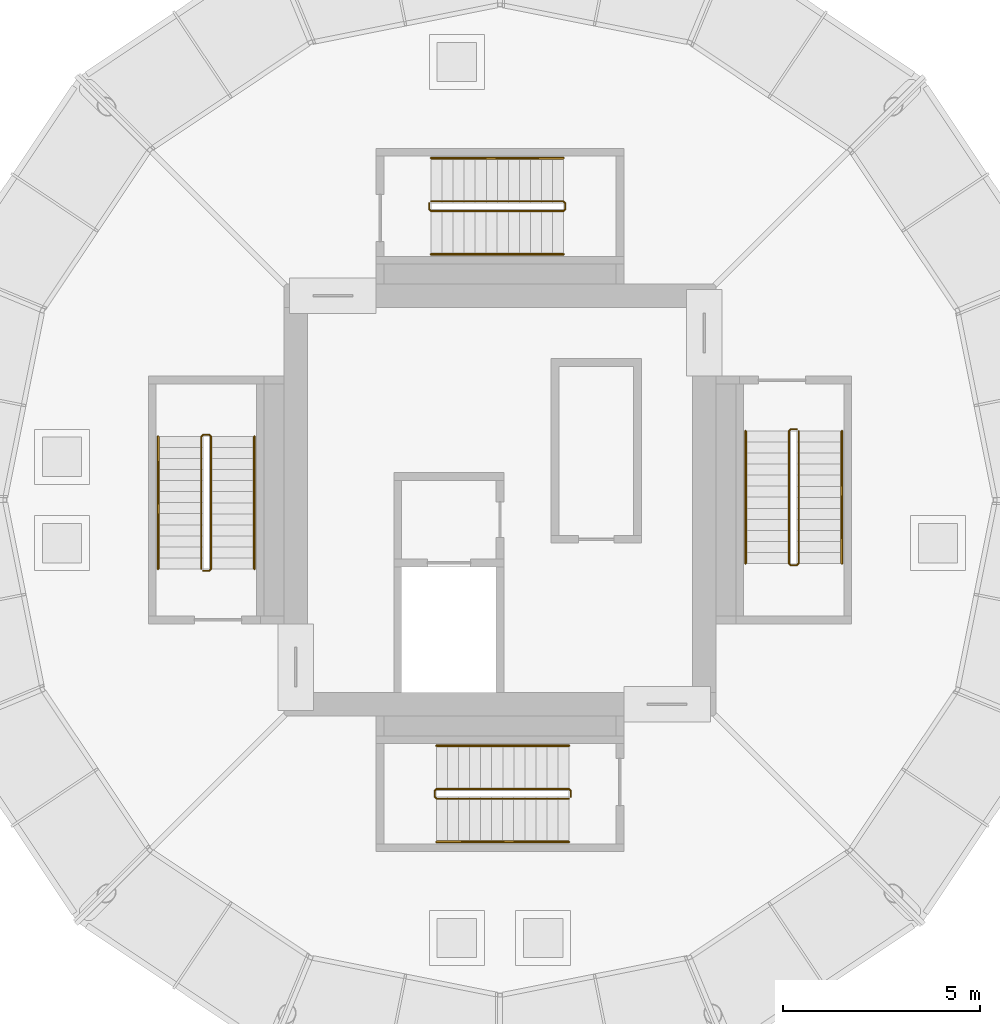
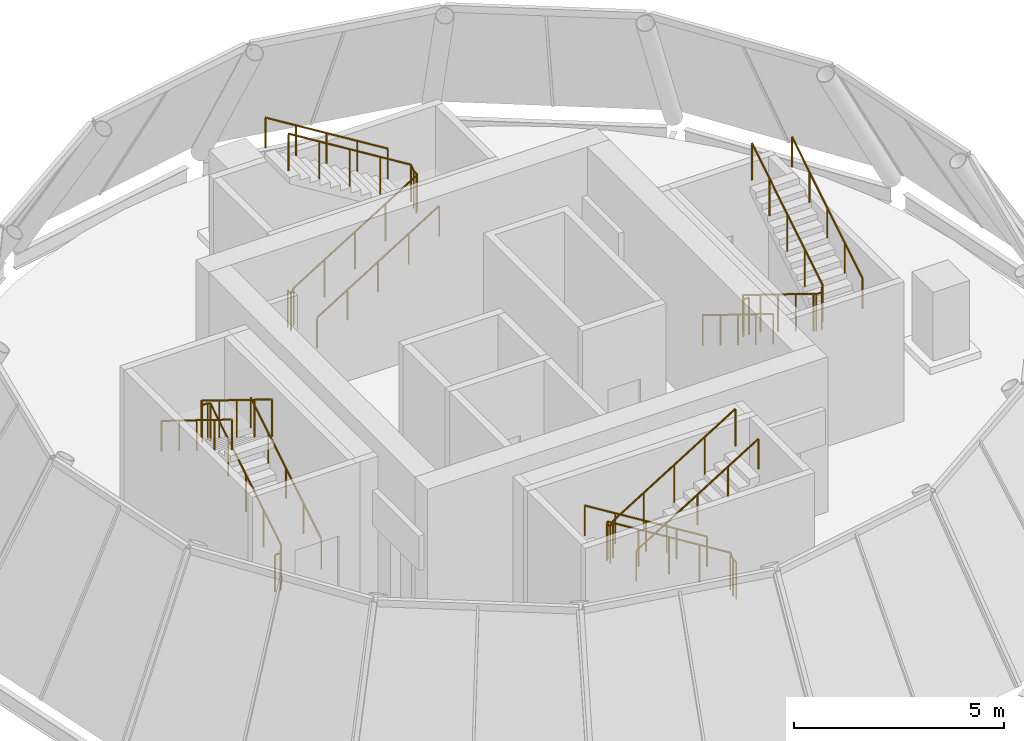
# One storey, part 5 of 6: 12 railings.
"""IFC4 building model written with IfcOpenShell, lengths in metres."""

from ifc_helpers import new_model, si_unit, direction, frame, origin, origin_2d, place, context, subcontext, project, spatial, circle, extrude, material, type_object, element, save


model = new_model("IFC4")

# Units and contexts
model_context = context("Model", 3, precision=1e-05, world=origin(), true_north=direction((0.0, 1.0)))
body_context = subcontext(model_context, "Body", "Model", "MODEL_VIEW")
ifc_project = project(units=[si_unit("LENGTHUNIT", "METRE"), si_unit("AREAUNIT", "SQUARE_METRE"), si_unit("VOLUMEUNIT", "CUBIC_METRE"), si_unit("PLANEANGLEUNIT", "RADIAN"), si_unit("MASSUNIT", "GRAM", prefix="KILO")], contexts=[model_context])

# Site, building, storey
site_placement = place(None, origin())
site = spatial("IfcSite", under=ifc_project, at=site_placement, CompositionType="ELEMENT")
building_placement = place(site_placement, origin())
building = spatial("IfcBuilding", under=site, at=building_placement, Name="Corvane Civic Tower", CompositionType="ELEMENT")
storey_placement = place(building_placement, frame((0.0, 0.0, 397.5)))
storey = spatial("IfcBuildingStorey", under=building, at=storey_placement, Name="L94", CompositionType="ELEMENT", Elevation=397.5)

# Railings
ifc_material_1 = material(Name="Steel ASTM A572 Gr 50", Category="steel")
railing_type_1 = type_object("IfcRailingType", Name="ST-GUARD-1100", PredefinedType="GUARDRAIL", material=ifc_material_1)
railing_1_placement = place(storey_placement, frame((7.550048828125, 1.800048828125, 0.0)))
element("IfcRailing", 1, at=railing_1_placement, inside=storey, type_object=railing_type_1, Name="L94 CS1 stair guard 1", PredefinedType="GUARDRAIL", context=body_context, shape_type="SweptSolid", body=[
    extrude(circle(Radius=0.02392578125, at=origin_2d()), frame((0.0, 0.0, 1.076171875), z_axis=(-1.0, 0.0, 0.0), x_axis=(0.0, -1.0, 0.0)), (0.0, 0.0, 1.0), 0.150146484375),
    extrude(circle(Radius=0.02392578125, at=origin_2d()), frame((-0.150146484375, 0.0, 1.076171875), z_axis=(-0.266417085129, -0.267723051232, 0.925929967433), x_axis=(0.708833529934, -0.705375805398, 0.0)), (0.0, 0.0, 1.0), 0.18701171875),
    extrude(circle(Radius=0.02392578125, at=origin_2d()), frame((-0.199951171875, -0.050048828125, 1.2490234375), z_axis=(0.0, -0.850623216509, 0.525775754039), x_axis=(1.0, 0.0, 0.0)), (0.0, 0.0, 1.0), 3.9501953125),
    extrude(circle(Radius=0.02392578125, at=origin_2d()), frame((-0.199951171875, -3.41015625, 3.326171875), z_axis=(0.707106781187, -0.707106781187, 0.0), x_axis=(0.707106781187, 0.707106781187, 0.0)), (0.0, 0.0, 1.0), 0.0703125),
    extrude(circle(Radius=0.02392578125, at=origin_2d()), frame((-0.150146484375, -3.4599609375, 3.326171875), z_axis=(1.0, 0.0, 0.0), x_axis=(0.0, 1.0, 0.0)), (0.0, 0.0, 1.0), 0.150146484375),
    extrude(circle(Radius=0.02392578125, at=origin_2d()), frame((0.0, -3.4599609375, 3.326171875), z_axis=(0.267723051232, 0.266417085129, 0.925929967433), x_axis=(-0.705375805398, 0.708833529934, 0.0)), (0.0, 0.0, 1.0), 0.18701171875),
    extrude(circle(Radius=0.02392578125, at=origin_2d()), frame((0.050048828125, -3.41015625, 3.4990234375), z_axis=(0.0, 0.850623216509, 0.525775754039), x_axis=(-1.0, 0.0, 0.0)), (0.0, 0.0, 1.0), 3.9501953125),
    extrude(circle(Radius=0.02099609375, at=origin_2d()), origin(), (0.0, 0.0, 1.0), 1.052001953125),
    extrude(circle(Radius=0.02099609375, at=origin_2d()), frame((-0.150146484375, 0.0, 0.0)), (0.0, 0.0, 1.0), 1.052001953125),
    extrude(circle(Radius=0.02099609375, at=origin_2d()), frame((-0.199951171875, -0.050048828125, 0.173095703125)), (0.0, 0.0, 1.0), 1.052001953125),
    extrude(circle(Radius=0.02099609375, at=origin_2d()), frame((-0.199951171875, -0.89013671875, 0.6923828125)), (0.0, 0.0, 1.0), 1.052001953125),
    extrude(circle(Radius=0.02099609375, at=origin_2d()), frame((-0.199951171875, -1.72998046875, 1.21142578125)), (0.0, 0.0, 1.0), 1.052001953125),
    extrude(circle(Radius=0.02099609375, at=origin_2d()), frame((-0.199951171875, -2.570068359375, 1.730712890625)), (0.0, 0.0, 1.0), 1.052001953125),
    extrude(circle(Radius=0.02099609375, at=origin_2d()), frame((-0.199951171875, -3.41015625, 2.25)), (0.0, 0.0, 1.0), 1.052001953125),
    extrude(circle(Radius=0.02099609375, at=origin_2d()), frame((-0.150146484375, -3.4599609375, 2.25)), (0.0, 0.0, 1.0), 1.052001953125),
    extrude(circle(Radius=0.02099609375, at=origin_2d()), frame((0.0, -3.4599609375, 2.25)), (0.0, 0.0, 1.0), 1.052001953125),
    extrude(circle(Radius=0.02099609375, at=origin_2d()), frame((0.050048828125, -3.41015625, 2.423095703125)), (0.0, 0.0, 1.0), 1.052001953125),
    extrude(circle(Radius=0.02099609375, at=origin_2d()), frame((0.050048828125, -2.570068359375, 2.9423828125)), (0.0, 0.0, 1.0), 1.052001953125),
    extrude(circle(Radius=0.02099609375, at=origin_2d()), frame((0.050048828125, -1.72998046875, 3.46142578125)), (0.0, 0.0, 1.0), 1.052001953125),
    extrude(circle(Radius=0.02099609375, at=origin_2d()), frame((0.050048828125, -0.89013671875, 3.980712890625)), (0.0, 0.0, 1.0), 1.052001953125),
    extrude(circle(Radius=0.02099609375, at=origin_2d()), frame((0.050048828125, -0.050048828125, 4.5)), (0.0, 0.0, 1.0), 1.052001953125),
])
railing_2_placement = place(storey_placement, frame((-1.800048828125, 7.550048828125, 0.0)))
element("IfcRailing", 2, at=railing_2_placement, inside=storey, type_object=railing_type_1, Name="L94 CS2 stair guard 1", PredefinedType="GUARDRAIL", context=body_context, shape_type="SweptSolid", body=[
    extrude(circle(Radius=0.02392578125, at=origin_2d()), frame((0.0, 0.0, 1.076171875), z_axis=(0.0, -1.0, 0.0), x_axis=(1.0, 0.0, 0.0)), (0.0, 0.0, 1.0), 0.150146484375),
    extrude(circle(Radius=0.02392578125, at=origin_2d()), frame((0.0, -0.150146484375, 1.076171875), z_axis=(0.267723051232, -0.266417085129, 0.925929967433), x_axis=(0.705375805398, 0.708833529934, 0.0)), (0.0, 0.0, 1.0), 0.18701171875),
    extrude(circle(Radius=0.02392578125, at=origin_2d()), frame((0.050048828125, -0.199951171875, 1.2490234375), z_axis=(0.850623216509, 0.0, 0.525775754039), x_axis=(0.0, 1.0, 0.0)), (0.0, 0.0, 1.0), 3.9501953125),
    extrude(circle(Radius=0.02392578125, at=origin_2d()), frame((3.41015625, -0.199951171875, 3.326171875), z_axis=(0.707106781187, 0.707106781187, 0.0), x_axis=(-0.707106781187, 0.707106781187, 0.0)), (0.0, 0.0, 1.0), 0.0703125),
    extrude(circle(Radius=0.02392578125, at=origin_2d()), frame((3.4599609375, -0.150146484375, 3.326171875), z_axis=(0.0, 1.0, 0.0), x_axis=(-1.0, 0.0, 0.0)), (0.0, 0.0, 1.0), 0.150146484375),
    extrude(circle(Radius=0.02392578125, at=origin_2d()), frame((3.4599609375, 0.0, 3.326171875), z_axis=(-0.266417085129, 0.267723051232, 0.925929967433), x_axis=(-0.708833529934, -0.705375805398, 0.0)), (0.0, 0.0, 1.0), 0.18701171875),
    extrude(circle(Radius=0.02392578125, at=origin_2d()), frame((3.41015625, 0.050048828125, 3.4990234375), z_axis=(-0.850623216509, 0.0, 0.525775754039), x_axis=(0.0, -1.0, 0.0)), (0.0, 0.0, 1.0), 3.9501953125),
    extrude(circle(Radius=0.02099609375, at=origin_2d()), origin(), (0.0, 0.0, 1.0), 1.052001953125),
    extrude(circle(Radius=0.02099609375, at=origin_2d()), frame((0.0, -0.150146484375, 0.0)), (0.0, 0.0, 1.0), 1.052001953125),
    extrude(circle(Radius=0.02099609375, at=origin_2d()), frame((0.050048828125, -0.199951171875, 0.173095703125)), (0.0, 0.0, 1.0), 1.052001953125),
    extrude(circle(Radius=0.02099609375, at=origin_2d()), frame((0.89013671875, -0.199951171875, 0.6923828125)), (0.0, 0.0, 1.0), 1.052001953125),
    extrude(circle(Radius=0.02099609375, at=origin_2d()), frame((1.72998046875, -0.199951171875, 1.21142578125)), (0.0, 0.0, 1.0), 1.052001953125),
    extrude(circle(Radius=0.02099609375, at=origin_2d()), frame((2.570068359375, -0.199951171875, 1.730712890625)), (0.0, 0.0, 1.0), 1.052001953125),
    extrude(circle(Radius=0.02099609375, at=origin_2d()), frame((3.41015625, -0.199951171875, 2.25)), (0.0, 0.0, 1.0), 1.052001953125),
    extrude(circle(Radius=0.02099609375, at=origin_2d()), frame((3.4599609375, -0.150146484375, 2.25)), (0.0, 0.0, 1.0), 1.052001953125),
    extrude(circle(Radius=0.02099609375, at=origin_2d()), frame((3.4599609375, 0.0, 2.25)), (0.0, 0.0, 1.0), 1.052001953125),
    extrude(circle(Radius=0.02099609375, at=origin_2d()), frame((3.41015625, 0.050048828125, 2.423095703125)), (0.0, 0.0, 1.0), 1.052001953125),
    extrude(circle(Radius=0.02099609375, at=origin_2d()), frame((2.570068359375, 0.050048828125, 2.9423828125)), (0.0, 0.0, 1.0), 1.052001953125),
    extrude(circle(Radius=0.02099609375, at=origin_2d()), frame((1.72998046875, 0.050048828125, 3.46142578125)), (0.0, 0.0, 1.0), 1.052001953125),
    extrude(circle(Radius=0.02099609375, at=origin_2d()), frame((0.89013671875, 0.050048828125, 3.980712890625)), (0.0, 0.0, 1.0), 1.052001953125),
    extrude(circle(Radius=0.02099609375, at=origin_2d()), frame((0.050048828125, 0.050048828125, 4.5)), (0.0, 0.0, 1.0), 1.052001953125),
])
railing_3_placement = place(storey_placement, frame((-7.550048828125, -1.800048828125, 0.0)))
element("IfcRailing", 3, at=railing_3_placement, inside=storey, type_object=railing_type_1, Name="L94 CS3 stair guard 1", PredefinedType="GUARDRAIL", context=body_context, shape_type="SweptSolid", body=[
    extrude(circle(Radius=0.02392578125, at=origin_2d()), frame((0.0, 0.0, 1.076171875), z_axis=(1.0, 0.0, 0.0), x_axis=(0.0, 1.0, 0.0)), (0.0, 0.0, 1.0), 0.150146484375),
    extrude(circle(Radius=0.02392578125, at=origin_2d()), frame((0.150146484375, 0.0, 1.076171875), z_axis=(0.266417085129, 0.267723051232, 0.925929967433), x_axis=(-0.708833529934, 0.705375805398, 0.0)), (0.0, 0.0, 1.0), 0.18701171875),
    extrude(circle(Radius=0.02392578125, at=origin_2d()), frame((0.199951171875, 0.050048828125, 1.2490234375), z_axis=(0.0, 0.850623216509, 0.525775754039), x_axis=(-1.0, 0.0, 0.0)), (0.0, 0.0, 1.0), 3.9501953125),
    extrude(circle(Radius=0.02392578125, at=origin_2d()), frame((0.199951171875, 3.41015625, 3.326171875), z_axis=(-0.707106781187, 0.707106781187, 0.0), x_axis=(-0.707106781187, -0.707106781187, 0.0)), (0.0, 0.0, 1.0), 0.0703125),
    extrude(circle(Radius=0.02392578125, at=origin_2d()), frame((0.150146484375, 3.4599609375, 3.326171875), z_axis=(-1.0, 0.0, 0.0), x_axis=(0.0, -1.0, 0.0)), (0.0, 0.0, 1.0), 0.150146484375),
    extrude(circle(Radius=0.02392578125, at=origin_2d()), frame((0.0, 3.4599609375, 3.326171875), z_axis=(-0.267723051232, -0.266417085129, 0.925929967433), x_axis=(0.705375805398, -0.708833529934, 0.0)), (0.0, 0.0, 1.0), 0.18701171875),
    extrude(circle(Radius=0.02392578125, at=origin_2d()), frame((-0.050048828125, 3.41015625, 3.4990234375), z_axis=(0.0, -0.850623216509, 0.525775754039), x_axis=(1.0, 0.0, 0.0)), (0.0, 0.0, 1.0), 3.9501953125),
    extrude(circle(Radius=0.02099609375, at=origin_2d()), origin(), (0.0, 0.0, 1.0), 1.052001953125),
    extrude(circle(Radius=0.02099609375, at=origin_2d()), frame((0.150146484375, 0.0, 0.0)), (0.0, 0.0, 1.0), 1.052001953125),
    extrude(circle(Radius=0.02099609375, at=origin_2d()), frame((0.199951171875, 0.050048828125, 0.173095703125)), (0.0, 0.0, 1.0), 1.052001953125),
    extrude(circle(Radius=0.02099609375, at=origin_2d()), frame((0.199951171875, 0.89013671875, 0.6923828125)), (0.0, 0.0, 1.0), 1.052001953125),
    extrude(circle(Radius=0.02099609375, at=origin_2d()), frame((0.199951171875, 1.72998046875, 1.21142578125)), (0.0, 0.0, 1.0), 1.052001953125),
    extrude(circle(Radius=0.02099609375, at=origin_2d()), frame((0.199951171875, 2.570068359375, 1.730712890625)), (0.0, 0.0, 1.0), 1.052001953125),
    extrude(circle(Radius=0.02099609375, at=origin_2d()), frame((0.199951171875, 3.41015625, 2.25)), (0.0, 0.0, 1.0), 1.052001953125),
    extrude(circle(Radius=0.02099609375, at=origin_2d()), frame((0.150146484375, 3.4599609375, 2.25)), (0.0, 0.0, 1.0), 1.052001953125),
    extrude(circle(Radius=0.02099609375, at=origin_2d()), frame((0.0, 3.4599609375, 2.25)), (0.0, 0.0, 1.0), 1.052001953125),
    extrude(circle(Radius=0.02099609375, at=origin_2d()), frame((-0.050048828125, 3.41015625, 2.423095703125)), (0.0, 0.0, 1.0), 1.052001953125),
    extrude(circle(Radius=0.02099609375, at=origin_2d()), frame((-0.050048828125, 2.570068359375, 2.9423828125)), (0.0, 0.0, 1.0), 1.052001953125),
    extrude(circle(Radius=0.02099609375, at=origin_2d()), frame((-0.050048828125, 1.72998046875, 3.46142578125)), (0.0, 0.0, 1.0), 1.052001953125),
    extrude(circle(Radius=0.02099609375, at=origin_2d()), frame((-0.050048828125, 0.89013671875, 3.980712890625)), (0.0, 0.0, 1.0), 1.052001953125),
    extrude(circle(Radius=0.02099609375, at=origin_2d()), frame((-0.050048828125, 0.050048828125, 4.5)), (0.0, 0.0, 1.0), 1.052001953125),
])
railing_4_placement = place(storey_placement, frame((1.800048828125, -7.550048828125, 0.0)))
element("IfcRailing", 4, at=railing_4_placement, inside=storey, type_object=railing_type_1, Name="L94 CS4 stair guard 1", PredefinedType="GUARDRAIL", context=body_context, shape_type="SweptSolid", body=[
    extrude(circle(Radius=0.02392578125, at=origin_2d()), frame((0.0, 0.0, 1.076171875), z_axis=(0.0, 1.0, 0.0), x_axis=(-1.0, 0.0, 0.0)), (0.0, 0.0, 1.0), 0.150146484375),
    extrude(circle(Radius=0.02392578125, at=origin_2d()), frame((0.0, 0.150146484375, 1.076171875), z_axis=(-0.267723051232, 0.266417085129, 0.925929967433), x_axis=(-0.705375805398, -0.708833529934, 0.0)), (0.0, 0.0, 1.0), 0.18701171875),
    extrude(circle(Radius=0.02392578125, at=origin_2d()), frame((-0.050048828125, 0.199951171875, 1.2490234375), z_axis=(-0.850623216509, 0.0, 0.525775754039), x_axis=(0.0, -1.0, 0.0)), (0.0, 0.0, 1.0), 3.9501953125),
    extrude(circle(Radius=0.02392578125, at=origin_2d()), frame((-3.41015625, 0.199951171875, 3.326171875), z_axis=(-0.707106781187, -0.707106781187, 0.0), x_axis=(0.707106781187, -0.707106781187, 0.0)), (0.0, 0.0, 1.0), 0.0703125),
    extrude(circle(Radius=0.02392578125, at=origin_2d()), frame((-3.4599609375, 0.150146484375, 3.326171875), z_axis=(0.0, -1.0, 0.0), x_axis=(1.0, 0.0, 0.0)), (0.0, 0.0, 1.0), 0.150146484375),
    extrude(circle(Radius=0.02392578125, at=origin_2d()), frame((-3.4599609375, 0.0, 3.326171875), z_axis=(0.266417085129, -0.267723051232, 0.925929967433), x_axis=(0.708833529934, 0.705375805398, 0.0)), (0.0, 0.0, 1.0), 0.18701171875),
    extrude(circle(Radius=0.02392578125, at=origin_2d()), frame((-3.41015625, -0.050048828125, 3.4990234375), z_axis=(0.850623216509, 0.0, 0.525775754039), x_axis=(0.0, 1.0, 0.0)), (0.0, 0.0, 1.0), 3.9501953125),
    extrude(circle(Radius=0.02099609375, at=origin_2d()), origin(), (0.0, 0.0, 1.0), 1.052001953125),
    extrude(circle(Radius=0.02099609375, at=origin_2d()), frame((0.0, 0.150146484375, 0.0)), (0.0, 0.0, 1.0), 1.052001953125),
    extrude(circle(Radius=0.02099609375, at=origin_2d()), frame((-0.050048828125, 0.199951171875, 0.173095703125)), (0.0, 0.0, 1.0), 1.052001953125),
    extrude(circle(Radius=0.02099609375, at=origin_2d()), frame((-0.89013671875, 0.199951171875, 0.6923828125)), (0.0, 0.0, 1.0), 1.052001953125),
    extrude(circle(Radius=0.02099609375, at=origin_2d()), frame((-1.72998046875, 0.199951171875, 1.21142578125)), (0.0, 0.0, 1.0), 1.052001953125),
    extrude(circle(Radius=0.02099609375, at=origin_2d()), frame((-2.570068359375, 0.199951171875, 1.730712890625)), (0.0, 0.0, 1.0), 1.052001953125),
    extrude(circle(Radius=0.02099609375, at=origin_2d()), frame((-3.41015625, 0.199951171875, 2.25)), (0.0, 0.0, 1.0), 1.052001953125),
    extrude(circle(Radius=0.02099609375, at=origin_2d()), frame((-3.4599609375, 0.150146484375, 2.25)), (0.0, 0.0, 1.0), 1.052001953125),
    extrude(circle(Radius=0.02099609375, at=origin_2d()), frame((-3.4599609375, 0.0, 2.25)), (0.0, 0.0, 1.0), 1.052001953125),
    extrude(circle(Radius=0.02099609375, at=origin_2d()), frame((-3.41015625, -0.050048828125, 2.423095703125)), (0.0, 0.0, 1.0), 1.052001953125),
    extrude(circle(Radius=0.02099609375, at=origin_2d()), frame((-2.570068359375, -0.050048828125, 2.9423828125)), (0.0, 0.0, 1.0), 1.052001953125),
    extrude(circle(Radius=0.02099609375, at=origin_2d()), frame((-1.72998046875, -0.050048828125, 3.46142578125)), (0.0, 0.0, 1.0), 1.052001953125),
    extrude(circle(Radius=0.02099609375, at=origin_2d()), frame((-0.89013671875, -0.050048828125, 3.980712890625)), (0.0, 0.0, 1.0), 1.052001953125),
    extrude(circle(Radius=0.02099609375, at=origin_2d()), frame((-0.050048828125, -0.050048828125, 4.5)), (0.0, 0.0, 1.0), 1.052001953125),
])
ifc_material_2 = material(Name="Steel ASTM A572 Gr 50", Category="steel")
railing_type_2 = type_object("IfcRailingType", Name="ST-HANDRAIL-900", PredefinedType="HANDRAIL", material=ifc_material_2)
railing_5_placement = place(storey_placement, frame((6.25, 1.75, 0.173095703125)))
element("IfcRailing", 5, at=railing_5_placement, inside=storey, type_object=railing_type_2, Name="L94 CS1 stair handrail 1", PredefinedType="HANDRAIL", context=body_context, shape_type="SweptSolid", body=[
    extrude(circle(Radius=0.02392578125, at=origin_2d()), frame((0.0, 0.0, 0.8759765625), z_axis=(0.0, -0.850623216509, 0.525775754039), x_axis=(1.0, 0.0, 0.0)), (0.0, 0.0, 1.0), 3.9501953125),
    extrude(circle(Radius=0.02099609375, at=origin_2d()), origin(), (0.0, 0.0, 1.0), 0.851806640625),
    extrude(circle(Radius=0.02099609375, at=origin_2d()), frame((0.0, -0.840087890625, 0.519287109375)), (0.0, 0.0, 1.0), 0.851806640625),
    extrude(circle(Radius=0.02099609375, at=origin_2d()), frame((0.0, -1.68017578125, 1.03857421875)), (0.0, 0.0, 1.0), 0.851806640625),
    extrude(circle(Radius=0.02099609375, at=origin_2d()), frame((0.0, -2.52001953125, 1.5576171875)), (0.0, 0.0, 1.0), 0.851806640625),
    extrude(circle(Radius=0.02099609375, at=origin_2d()), frame((0.0, -3.360107421875, 2.076904296875)), (0.0, 0.0, 1.0), 0.851806640625),
])
railing_6_placement = place(storey_placement, frame((8.699951171875, -1.610107421875, 2.423095703125)))
element("IfcRailing", 6, at=railing_6_placement, inside=storey, type_object=railing_type_2, Name="L94 CS1 stair handrail 2", PredefinedType="HANDRAIL", context=body_context, shape_type="SweptSolid", body=[
    extrude(circle(Radius=0.02392578125, at=origin_2d()), frame((0.0, 0.0, 0.8759765625), z_axis=(0.0, 0.850623216509, 0.525775754039), x_axis=(-1.0, 0.0, 0.0)), (0.0, 0.0, 1.0), 3.9501953125),
    extrude(circle(Radius=0.02099609375, at=origin_2d()), origin(), (0.0, 0.0, 1.0), 0.851806640625),
    extrude(circle(Radius=0.02099609375, at=origin_2d()), frame((0.0, 0.840087890625, 0.519287109375)), (0.0, 0.0, 1.0), 0.851806640625),
    extrude(circle(Radius=0.02099609375, at=origin_2d()), frame((0.0, 1.68017578125, 1.03857421875)), (0.0, 0.0, 1.0), 0.851806640625),
    extrude(circle(Radius=0.02099609375, at=origin_2d()), frame((0.0, 2.52001953125, 1.5576171875)), (0.0, 0.0, 1.0), 0.851806640625),
    extrude(circle(Radius=0.02099609375, at=origin_2d()), frame((0.0, 3.360107421875, 2.076904296875)), (0.0, 0.0, 1.0), 0.851806640625),
])
railing_7_placement = place(storey_placement, frame((-1.75, 6.25, 0.173095703125)))
element("IfcRailing", 7, at=railing_7_placement, inside=storey, type_object=railing_type_2, Name="L94 CS2 stair handrail 1", PredefinedType="HANDRAIL", context=body_context, shape_type="SweptSolid", body=[
    extrude(circle(Radius=0.02392578125, at=origin_2d()), frame((0.0, 0.0, 0.8759765625), z_axis=(0.850623216509, 0.0, 0.525775754039), x_axis=(0.0, 1.0, 0.0)), (0.0, 0.0, 1.0), 3.9501953125),
    extrude(circle(Radius=0.02099609375, at=origin_2d()), origin(), (0.0, 0.0, 1.0), 0.851806640625),
    extrude(circle(Radius=0.02099609375, at=origin_2d()), frame((0.840087890625, 0.0, 0.519287109375)), (0.0, 0.0, 1.0), 0.851806640625),
    extrude(circle(Radius=0.02099609375, at=origin_2d()), frame((1.68017578125, 0.0, 1.03857421875)), (0.0, 0.0, 1.0), 0.851806640625),
    extrude(circle(Radius=0.02099609375, at=origin_2d()), frame((2.52001953125, 0.0, 1.5576171875)), (0.0, 0.0, 1.0), 0.851806640625),
    extrude(circle(Radius=0.02099609375, at=origin_2d()), frame((3.360107421875, 0.0, 2.076904296875)), (0.0, 0.0, 1.0), 0.851806640625),
])
railing_8_placement = place(storey_placement, frame((1.610107421875, 8.699951171875, 2.423095703125)))
element("IfcRailing", 8, at=railing_8_placement, inside=storey, type_object=railing_type_2, Name="L94 CS2 stair handrail 2", PredefinedType="HANDRAIL", context=body_context, shape_type="SweptSolid", body=[
    extrude(circle(Radius=0.02392578125, at=origin_2d()), frame((0.0, 0.0, 0.8759765625), z_axis=(-0.850623216509, 0.0, 0.525775754039), x_axis=(0.0, -1.0, 0.0)), (0.0, 0.0, 1.0), 3.9501953125),
    extrude(circle(Radius=0.02099609375, at=origin_2d()), origin(), (0.0, 0.0, 1.0), 0.851806640625),
    extrude(circle(Radius=0.02099609375, at=origin_2d()), frame((-0.840087890625, 0.0, 0.519287109375)), (0.0, 0.0, 1.0), 0.851806640625),
    extrude(circle(Radius=0.02099609375, at=origin_2d()), frame((-1.68017578125, 0.0, 1.03857421875)), (0.0, 0.0, 1.0), 0.851806640625),
    extrude(circle(Radius=0.02099609375, at=origin_2d()), frame((-2.52001953125, 0.0, 1.5576171875)), (0.0, 0.0, 1.0), 0.851806640625),
    extrude(circle(Radius=0.02099609375, at=origin_2d()), frame((-3.360107421875, 0.0, 2.076904296875)), (0.0, 0.0, 1.0), 0.851806640625),
])
railing_9_placement = place(storey_placement, frame((-6.25, -1.75, 0.173095703125)))
element("IfcRailing", 9, at=railing_9_placement, inside=storey, type_object=railing_type_2, Name="L94 CS3 stair handrail 1", PredefinedType="HANDRAIL", context=body_context, shape_type="SweptSolid", body=[
    extrude(circle(Radius=0.02392578125, at=origin_2d()), frame((0.0, 0.0, 0.8759765625), z_axis=(0.0, 0.850623216509, 0.525775754039), x_axis=(-1.0, 0.0, 0.0)), (0.0, 0.0, 1.0), 3.9501953125),
    extrude(circle(Radius=0.02099609375, at=origin_2d()), origin(), (0.0, 0.0, 1.0), 0.851806640625),
    extrude(circle(Radius=0.02099609375, at=origin_2d()), frame((0.0, 0.840087890625, 0.519287109375)), (0.0, 0.0, 1.0), 0.851806640625),
    extrude(circle(Radius=0.02099609375, at=origin_2d()), frame((0.0, 1.68017578125, 1.03857421875)), (0.0, 0.0, 1.0), 0.851806640625),
    extrude(circle(Radius=0.02099609375, at=origin_2d()), frame((0.0, 2.52001953125, 1.5576171875)), (0.0, 0.0, 1.0), 0.851806640625),
    extrude(circle(Radius=0.02099609375, at=origin_2d()), frame((0.0, 3.360107421875, 2.076904296875)), (0.0, 0.0, 1.0), 0.851806640625),
])
railing_10_placement = place(storey_placement, frame((-8.699951171875, 1.610107421875, 2.423095703125)))
element("IfcRailing", 10, at=railing_10_placement, inside=storey, type_object=railing_type_2, Name="L94 CS3 stair handrail 2", PredefinedType="HANDRAIL", context=body_context, shape_type="SweptSolid", body=[
    extrude(circle(Radius=0.02392578125, at=origin_2d()), frame((0.0, 0.0, 0.8759765625), z_axis=(0.0, -0.850623216509, 0.525775754039), x_axis=(1.0, 0.0, 0.0)), (0.0, 0.0, 1.0), 3.9501953125),
    extrude(circle(Radius=0.02099609375, at=origin_2d()), origin(), (0.0, 0.0, 1.0), 0.851806640625),
    extrude(circle(Radius=0.02099609375, at=origin_2d()), frame((0.0, -0.840087890625, 0.519287109375)), (0.0, 0.0, 1.0), 0.851806640625),
    extrude(circle(Radius=0.02099609375, at=origin_2d()), frame((0.0, -1.68017578125, 1.03857421875)), (0.0, 0.0, 1.0), 0.851806640625),
    extrude(circle(Radius=0.02099609375, at=origin_2d()), frame((0.0, -2.52001953125, 1.5576171875)), (0.0, 0.0, 1.0), 0.851806640625),
    extrude(circle(Radius=0.02099609375, at=origin_2d()), frame((0.0, -3.360107421875, 2.076904296875)), (0.0, 0.0, 1.0), 0.851806640625),
])
railing_11_placement = place(storey_placement, frame((1.75, -6.25, 0.173095703125)))
element("IfcRailing", 11, at=railing_11_placement, inside=storey, type_object=railing_type_2, Name="L94 CS4 stair handrail 1", PredefinedType="HANDRAIL", context=body_context, shape_type="SweptSolid", body=[
    extrude(circle(Radius=0.02392578125, at=origin_2d()), frame((0.0, 0.0, 0.8759765625), z_axis=(-0.850623216509, 0.0, 0.525775754039), x_axis=(0.0, -1.0, 0.0)), (0.0, 0.0, 1.0), 3.9501953125),
    extrude(circle(Radius=0.02099609375, at=origin_2d()), origin(), (0.0, 0.0, 1.0), 0.851806640625),
    extrude(circle(Radius=0.02099609375, at=origin_2d()), frame((-0.840087890625, 0.0, 0.519287109375)), (0.0, 0.0, 1.0), 0.851806640625),
    extrude(circle(Radius=0.02099609375, at=origin_2d()), frame((-1.68017578125, 0.0, 1.03857421875)), (0.0, 0.0, 1.0), 0.851806640625),
    extrude(circle(Radius=0.02099609375, at=origin_2d()), frame((-2.52001953125, 0.0, 1.5576171875)), (0.0, 0.0, 1.0), 0.851806640625),
    extrude(circle(Radius=0.02099609375, at=origin_2d()), frame((-3.360107421875, 0.0, 2.076904296875)), (0.0, 0.0, 1.0), 0.851806640625),
])
railing_12_placement = place(storey_placement, frame((-1.610107421875, -8.699951171875, 2.423095703125)))
element("IfcRailing", 12, at=railing_12_placement, inside=storey, type_object=railing_type_2, Name="L94 CS4 stair handrail 2", PredefinedType="HANDRAIL", context=body_context, shape_type="SweptSolid", body=[
    extrude(circle(Radius=0.02392578125, at=origin_2d()), frame((0.0, 0.0, 0.8759765625), z_axis=(0.850623216509, 0.0, 0.525775754039), x_axis=(0.0, 1.0, 0.0)), (0.0, 0.0, 1.0), 3.9501953125),
    extrude(circle(Radius=0.02099609375, at=origin_2d()), origin(), (0.0, 0.0, 1.0), 0.851806640625),
    extrude(circle(Radius=0.02099609375, at=origin_2d()), frame((0.840087890625, 0.0, 0.519287109375)), (0.0, 0.0, 1.0), 0.851806640625),
    extrude(circle(Radius=0.02099609375, at=origin_2d()), frame((1.68017578125, 0.0, 1.03857421875)), (0.0, 0.0, 1.0), 0.851806640625),
    extrude(circle(Radius=0.02099609375, at=origin_2d()), frame((2.52001953125, 0.0, 1.5576171875)), (0.0, 0.0, 1.0), 0.851806640625),
    extrude(circle(Radius=0.02099609375, at=origin_2d()), frame((3.360107421875, 0.0, 2.076904296875)), (0.0, 0.0, 1.0), 0.851806640625),
])

save(model, "model.ifc")
